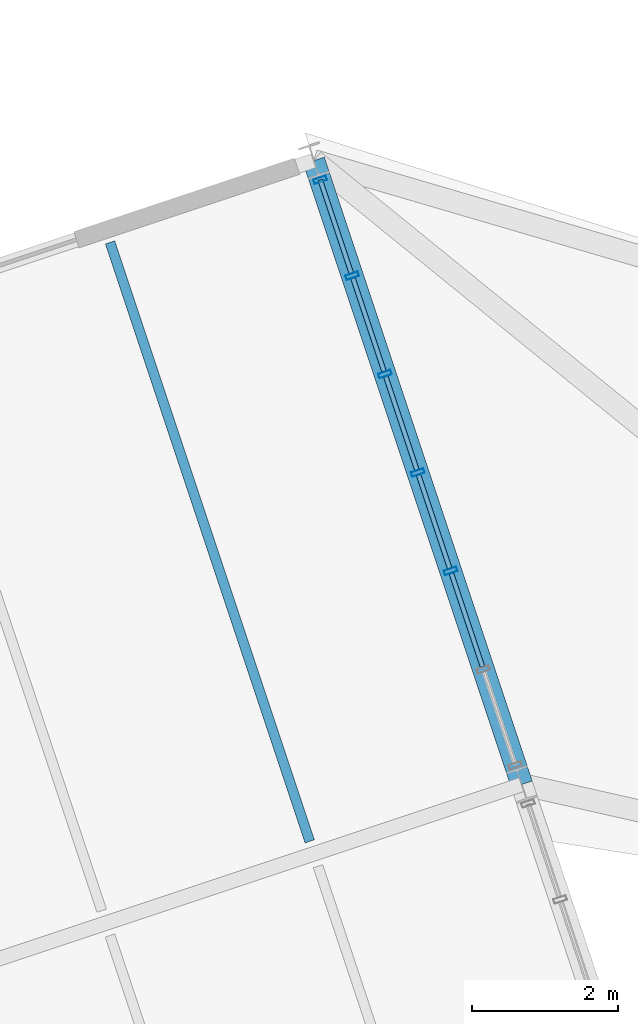
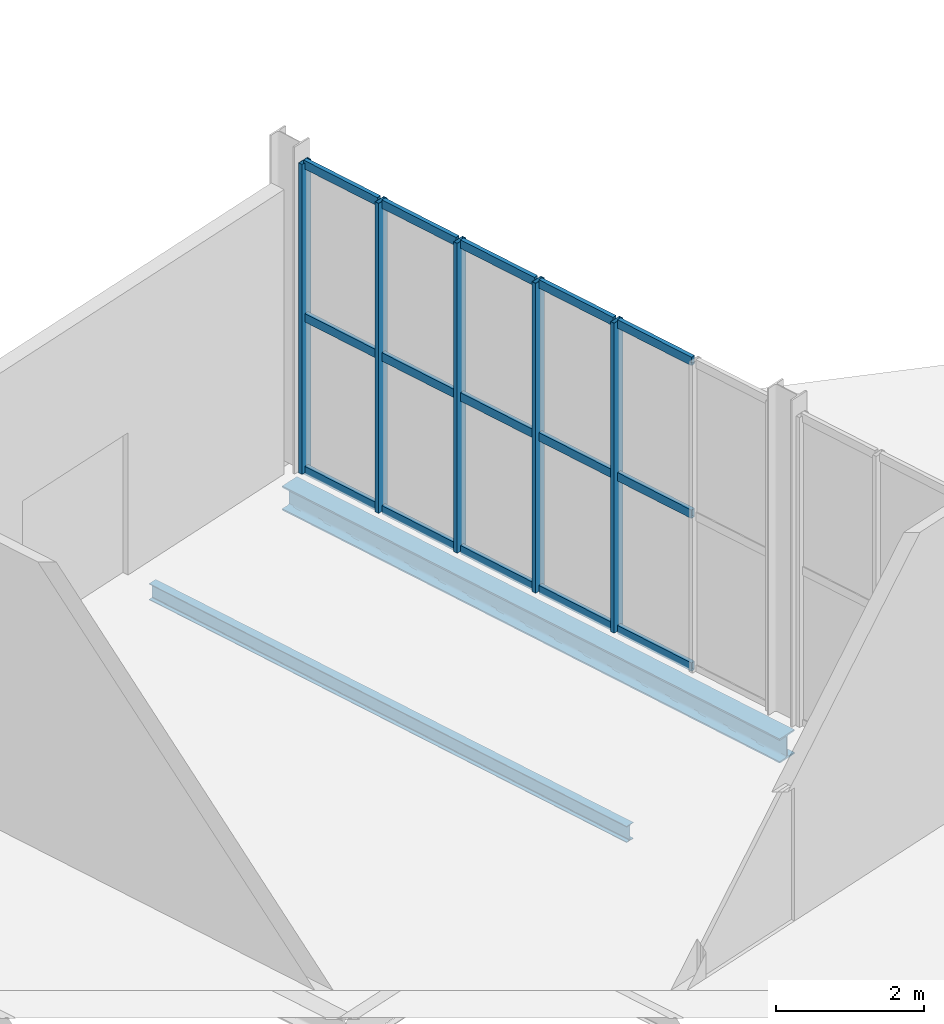
# One storey, part 85 of 158: 20 members, 2 beams, 1 element without a shape of its own.
"""IFC4 building model written with IfcOpenShell, lengths in metres."""

from ifc_helpers import new_model, si_unit, derived_unit, direction, frame, origin, origin_2d, place, context, subcontext, project, spatial, hollow_rectangle, i_section, extrude, material, material_profile, profile_set, type_object, element, aggregate, save


model = new_model("IFC4")

# Units and contexts
model_context = context("Model", 3, precision=1e-05, world=origin(), true_north=direction((0.0, 1.0)))
body_context = subcontext(model_context, "Body", "Model", "MODEL_VIEW")
ifc_project = project(units=[si_unit("LENGTHUNIT", "METRE"), si_unit("AREAUNIT", "SQUARE_METRE"), si_unit("VOLUMEUNIT", "CUBIC_METRE"), si_unit("PLANEANGLEUNIT", "RADIAN"), si_unit("MASSUNIT", "GRAM", prefix="KILO"), si_unit("THERMODYNAMICTEMPERATUREUNIT", "KELVIN"), si_unit("TIMEUNIT", "SECOND"), derived_unit("THERMALTRANSMITTANCEUNIT", [(si_unit("MASSUNIT", "GRAM", prefix="KILO"), 1), (si_unit("THERMODYNAMICTEMPERATUREUNIT", "KELVIN"), -1), (si_unit("TIMEUNIT", "SECOND"), -3)])], contexts=[model_context])

# Site, building, storey
site_placement = place(None, origin())
site = spatial("IfcSite", under=ifc_project, at=site_placement, CompositionType="ELEMENT")
building_placement = place(site_placement, origin())
building = spatial("IfcBuilding", under=site, at=building_placement, Name="Cambertide Market Hall", CompositionType="ELEMENT")
storey_placement = place(building_placement, origin())
storey = spatial("IfcBuildingStorey", under=building, at=storey_placement, Name="L01", CompositionType="ELEMENT", Elevation=0.0)

# Curtain wall, members
ifc_material_1 = material(Name="Marine Anodized Aluminium 6063-T6 AA25", Category="aluminium")
curtain_wall_type = type_object("IfcCurtainWallType", Name="Food Court Ground Glazed Facade", PredefinedType="USERDEFINED", material=ifc_material_1)
curtain_wall_placement = place(storey_placement, origin())
curtain_wall = element("IfcCurtainWall", 1, at=curtain_wall_placement, inside=storey, type_object=curtain_wall_type, Name="Level 1 Curtain Wall CW-V3E-L01-3", ObjectType="UNITIZED CURTAIN WALL", PredefinedType="USERDEFINED")
ifc_material_2 = material(Name="Champagne Marine Anodized Aluminium 6063-T6 AA25", Category="aluminium")
ifc_material_profile_1 = material_profile(ifc_material_2, hollow_rectangle(XDim=0.06494140625, YDim=0.179931640625, WallThickness=0.00390625, at=origin_2d()), Name="ALU MULLION 65x180")
ifc_profile_set_1 = profile_set([ifc_material_profile_1], Name="Champagne Marine Anodized Aluminium 6063-T6 AA25")
member_type_1 = type_object("IfcMemberType", Name="Curtain Wall Mullion ALU MULLION 65x180", PredefinedType="MULLION", material=ifc_profile_set_1)
member_1_placement = place(storey_placement, frame((157.31591796875, 57.27587890625, 0.0), z_axis=(0.0, 0.0, 1.0), x_axis=(0.3162277308, -0.948683309789, 0.0)))
member_1 = element("IfcMember", 2, at=member_1_placement, type_object=member_type_1, Name="CW-V3E-L01-3 Mullion 1", PredefinedType="MULLION", context=body_context, shape_type="SweptSolid", body=[
    extrude(hollow_rectangle(XDim=0.06494140625, YDim=0.179931640625, WallThickness=0.00390625, at=origin_2d()), origin(), (0.0, 0.0, 1.0), 5.1201171875),
])
member_2_placement = place(storey_placement, frame((157.75390625, 55.9619140625, 0.0), z_axis=(0.0, 0.0, 1.0), x_axis=(0.3162277308, -0.948683309789, 0.0)))
member_2 = element("IfcMember", 3, at=member_2_placement, type_object=member_type_1, Name="CW-V3E-L01-3 Mullion 2", PredefinedType="MULLION", context=body_context, shape_type="SweptSolid", body=[
    extrude(hollow_rectangle(XDim=0.06494140625, YDim=0.179931640625, WallThickness=0.00390625, at=origin_2d()), origin(), (0.0, 0.0, 1.0), 5.1201171875),
])
member_3_placement = place(storey_placement, frame((158.202880859375, 54.61474609375, 0.0), z_axis=(0.0, 0.0, 1.0), x_axis=(0.3162277308, -0.948683309789, 0.0)))
member_3 = element("IfcMember", 4, at=member_3_placement, type_object=member_type_1, Name="CW-V3E-L01-3 Mullion 3", PredefinedType="MULLION", context=body_context, shape_type="SweptSolid", body=[
    extrude(hollow_rectangle(XDim=0.06494140625, YDim=0.179931640625, WallThickness=0.00390625, at=origin_2d()), origin(), (0.0, 0.0, 1.0), 5.1201171875),
])
member_4_placement = place(storey_placement, frame((158.65185546875, 53.267822265625, 0.0), z_axis=(0.0, 0.0, 1.0), x_axis=(0.3162277308, -0.948683309789, 0.0)))
member_4 = element("IfcMember", 5, at=member_4_placement, type_object=member_type_1, Name="CW-V3E-L01-3 Mullion 4", PredefinedType="MULLION", context=body_context, shape_type="SweptSolid", body=[
    extrude(hollow_rectangle(XDim=0.06494140625, YDim=0.179931640625, WallThickness=0.00390625, at=origin_2d()), origin(), (0.0, 0.0, 1.0), 5.1201171875),
])
member_5_placement = place(storey_placement, frame((159.10107421875, 51.920654296875, 0.0), z_axis=(0.0, 0.0, 1.0), x_axis=(0.3162277308, -0.948683309789, 0.0)))
member_5 = element("IfcMember", 6, at=member_5_placement, type_object=member_type_1, Name="CW-V3E-L01-3 Mullion 5", PredefinedType="MULLION", context=body_context, shape_type="SweptSolid", body=[
    extrude(hollow_rectangle(XDim=0.06494140625, YDim=0.179931640625, WallThickness=0.00390625, at=origin_2d()), origin(), (0.0, 0.0, 1.0), 5.1201171875),
])
ifc_material_3 = material(Name="Champagne Marine Anodized Aluminium 6063-T6 AA25", Category="aluminium")
ifc_material_profile_2 = material_profile(ifc_material_3, hollow_rectangle(XDim=0.06494140625, YDim=0.139892578125, WallThickness=0.00341796875, at=origin_2d()), Name="ALU TRANSOM 65x140")
ifc_profile_set_2 = profile_set([ifc_material_profile_2], Name="Champagne Marine Anodized Aluminium 6063-T6 AA25")
member_type_2 = type_object("IfcMemberType", Name="Curtain Wall Transom ALU TRANSOM 65x140", PredefinedType="USERDEFINED", material=ifc_profile_set_2)
member_6_placement = place(storey_placement, frame((157.3173828125, 57.271240234375, 0.034912109375), z_axis=(0.316282422593, -0.948665077442, 0.0), x_axis=(0.948665077442, 0.316282422593, 0.0)))
member_6 = element("IfcMember", 7, at=member_6_placement, type_object=member_type_2, Name="CW-V3E-L01-3 Transom 1-1", ObjectType="TRANSOM", PredefinedType="USERDEFINED", context=body_context, shape_type="SweptSolid", body=[
    extrude(hollow_rectangle(XDim=0.06494140625, YDim=0.139892578125, WallThickness=0.00341796875, at=origin_2d()), origin(), (0.0, 0.0, 1.0), 1.340087890625),
])
member_7_placement = place(storey_placement, frame((157.7666015625, 55.924072265625, 0.034912109375), z_axis=(0.316118443418, -0.948719731918, 0.0), x_axis=(0.948719731918, 0.316118443418, 0.0)))
member_7 = element("IfcMember", 8, at=member_7_placement, type_object=member_type_2, Name="CW-V3E-L01-3 Transom 1-2", ObjectType="TRANSOM", PredefinedType="USERDEFINED", context=body_context, shape_type="SweptSolid", body=[
    extrude(hollow_rectangle(XDim=0.06494140625, YDim=0.139892578125, WallThickness=0.00341796875, at=origin_2d()), origin(), (0.0, 0.0, 1.0), 1.33984375),
])
member_8_placement = place(storey_placement, frame((158.215576171875, 54.576904296875, 0.034912109375), z_axis=(0.316118443418, -0.948719731918, 0.0), x_axis=(0.948719731918, 0.316118443418, 0.0)))
member_8 = element("IfcMember", 9, at=member_8_placement, type_object=member_type_2, Name="CW-V3E-L01-3 Transom 1-3", ObjectType="TRANSOM", PredefinedType="USERDEFINED", context=body_context, shape_type="SweptSolid", body=[
    extrude(hollow_rectangle(XDim=0.06494140625, YDim=0.139892578125, WallThickness=0.00341796875, at=origin_2d()), origin(), (0.0, 0.0, 1.0), 1.33984375),
])
member_9_placement = place(storey_placement, frame((158.66455078125, 53.229736328125, 0.034912109375), z_axis=(0.316282422593, -0.948665077442, 0.0), x_axis=(0.948665077442, 0.316282422593, 0.0)))
member_9 = element("IfcMember", 10, at=member_9_placement, type_object=member_type_2, Name="CW-V3E-L01-3 Transom 1-4", ObjectType="TRANSOM", PredefinedType="USERDEFINED", context=body_context, shape_type="SweptSolid", body=[
    extrude(hollow_rectangle(XDim=0.06494140625, YDim=0.139892578125, WallThickness=0.00341796875, at=origin_2d()), origin(), (0.0, 0.0, 1.0), 1.340087890625),
])
member_10_placement = place(storey_placement, frame((159.113525390625, 51.882568359375, 0.034912109375), z_axis=(0.316282422593, -0.948665077442, 0.0), x_axis=(0.948665077442, 0.316282422593, 0.0)))
member_10 = element("IfcMember", 11, at=member_10_placement, type_object=member_type_2, Name="CW-V3E-L01-3 Transom 1-5", ObjectType="TRANSOM", PredefinedType="USERDEFINED", context=body_context, shape_type="SweptSolid", body=[
    extrude(hollow_rectangle(XDim=0.06494140625, YDim=0.139892578125, WallThickness=0.00341796875, at=origin_2d()), origin(), (0.0, 0.0, 1.0), 1.340087890625),
])
member_11_placement = place(storey_placement, frame((157.3173828125, 57.271240234375, 2.56005859375), z_axis=(0.316282422593, -0.948665077442, 0.0), x_axis=(0.948665077442, 0.316282422593, 0.0)))
member_11 = element("IfcMember", 12, at=member_11_placement, type_object=member_type_2, Name="CW-V3E-L01-3 Transom 2-1", ObjectType="TRANSOM", PredefinedType="USERDEFINED", context=body_context, shape_type="SweptSolid", body=[
    extrude(hollow_rectangle(XDim=0.06494140625, YDim=0.139892578125, WallThickness=0.00341796875, at=origin_2d()), origin(), (0.0, 0.0, 1.0), 1.340087890625),
])
member_12_placement = place(storey_placement, frame((157.7666015625, 55.924072265625, 2.56005859375), z_axis=(0.316118443418, -0.948719731918, 0.0), x_axis=(0.948719731918, 0.316118443418, 0.0)))
member_12 = element("IfcMember", 13, at=member_12_placement, type_object=member_type_2, Name="CW-V3E-L01-3 Transom 2-2", ObjectType="TRANSOM", PredefinedType="USERDEFINED", context=body_context, shape_type="SweptSolid", body=[
    extrude(hollow_rectangle(XDim=0.06494140625, YDim=0.139892578125, WallThickness=0.00341796875, at=origin_2d()), origin(), (0.0, 0.0, 1.0), 1.33984375),
])
member_13_placement = place(storey_placement, frame((158.215576171875, 54.576904296875, 2.56005859375), z_axis=(0.316118443418, -0.948719731918, 0.0), x_axis=(0.948719731918, 0.316118443418, 0.0)))
member_13 = element("IfcMember", 14, at=member_13_placement, type_object=member_type_2, Name="CW-V3E-L01-3 Transom 2-3", ObjectType="TRANSOM", PredefinedType="USERDEFINED", context=body_context, shape_type="SweptSolid", body=[
    extrude(hollow_rectangle(XDim=0.06494140625, YDim=0.139892578125, WallThickness=0.00341796875, at=origin_2d()), origin(), (0.0, 0.0, 1.0), 1.33984375),
])
member_14_placement = place(storey_placement, frame((158.66455078125, 53.229736328125, 2.56005859375), z_axis=(0.316282422593, -0.948665077442, 0.0), x_axis=(0.948665077442, 0.316282422593, 0.0)))
member_14 = element("IfcMember", 15, at=member_14_placement, type_object=member_type_2, Name="CW-V3E-L01-3 Transom 2-4", ObjectType="TRANSOM", PredefinedType="USERDEFINED", context=body_context, shape_type="SweptSolid", body=[
    extrude(hollow_rectangle(XDim=0.06494140625, YDim=0.139892578125, WallThickness=0.00341796875, at=origin_2d()), origin(), (0.0, 0.0, 1.0), 1.340087890625),
])
member_15_placement = place(storey_placement, frame((159.113525390625, 51.882568359375, 2.56005859375), z_axis=(0.316282422593, -0.948665077442, 0.0), x_axis=(0.948665077442, 0.316282422593, 0.0)))
member_15 = element("IfcMember", 16, at=member_15_placement, type_object=member_type_2, Name="CW-V3E-L01-3 Transom 2-5", ObjectType="TRANSOM", PredefinedType="USERDEFINED", context=body_context, shape_type="SweptSolid", body=[
    extrude(hollow_rectangle(XDim=0.06494140625, YDim=0.139892578125, WallThickness=0.00341796875, at=origin_2d()), origin(), (0.0, 0.0, 1.0), 1.340087890625),
])
member_16_placement = place(storey_placement, frame((157.3173828125, 57.271240234375, 5.0849609375), z_axis=(0.316282422593, -0.948665077442, 0.0), x_axis=(0.948665077442, 0.316282422593, 0.0)))
member_16 = element("IfcMember", 17, at=member_16_placement, type_object=member_type_2, Name="CW-V3E-L01-3 Transom 3-1", ObjectType="TRANSOM", PredefinedType="USERDEFINED", context=body_context, shape_type="SweptSolid", body=[
    extrude(hollow_rectangle(XDim=0.06494140625, YDim=0.139892578125, WallThickness=0.00341796875, at=origin_2d()), origin(), (0.0, 0.0, 1.0), 1.340087890625),
])
member_17_placement = place(storey_placement, frame((157.7666015625, 55.924072265625, 5.0849609375), z_axis=(0.316118443418, -0.948719731918, 0.0), x_axis=(0.948719731918, 0.316118443418, 0.0)))
member_17 = element("IfcMember", 18, at=member_17_placement, type_object=member_type_2, Name="CW-V3E-L01-3 Transom 3-2", ObjectType="TRANSOM", PredefinedType="USERDEFINED", context=body_context, shape_type="SweptSolid", body=[
    extrude(hollow_rectangle(XDim=0.06494140625, YDim=0.139892578125, WallThickness=0.00341796875, at=origin_2d()), origin(), (0.0, 0.0, 1.0), 1.33984375),
])
member_18_placement = place(storey_placement, frame((158.215576171875, 54.576904296875, 5.0849609375), z_axis=(0.316118443418, -0.948719731918, 0.0), x_axis=(0.948719731918, 0.316118443418, 0.0)))
member_18 = element("IfcMember", 19, at=member_18_placement, type_object=member_type_2, Name="CW-V3E-L01-3 Transom 3-3", ObjectType="TRANSOM", PredefinedType="USERDEFINED", context=body_context, shape_type="SweptSolid", body=[
    extrude(hollow_rectangle(XDim=0.06494140625, YDim=0.139892578125, WallThickness=0.00341796875, at=origin_2d()), origin(), (0.0, 0.0, 1.0), 1.33984375),
])
member_19_placement = place(storey_placement, frame((158.66455078125, 53.229736328125, 5.0849609375), z_axis=(0.316282422593, -0.948665077442, 0.0), x_axis=(0.948665077442, 0.316282422593, 0.0)))
member_19 = element("IfcMember", 20, at=member_19_placement, type_object=member_type_2, Name="CW-V3E-L01-3 Transom 3-4", ObjectType="TRANSOM", PredefinedType="USERDEFINED", context=body_context, shape_type="SweptSolid", body=[
    extrude(hollow_rectangle(XDim=0.06494140625, YDim=0.139892578125, WallThickness=0.00341796875, at=origin_2d()), origin(), (0.0, 0.0, 1.0), 1.340087890625),
])
member_20_placement = place(storey_placement, frame((159.113525390625, 51.882568359375, 5.0849609375), z_axis=(0.316282422593, -0.948665077442, 0.0), x_axis=(0.948665077442, 0.316282422593, 0.0)))
member_20 = element("IfcMember", 21, at=member_20_placement, type_object=member_type_2, Name="CW-V3E-L01-3 Transom 3-5", ObjectType="TRANSOM", PredefinedType="USERDEFINED", context=body_context, shape_type="SweptSolid", body=[
    extrude(hollow_rectangle(XDim=0.06494140625, YDim=0.139892578125, WallThickness=0.00341796875, at=origin_2d()), origin(), (0.0, 0.0, 1.0), 1.340087890625),
])
aggregate(curtain_wall, [member_1, member_2, member_3, member_4, member_5, member_6, member_7, member_8, member_9, member_10, member_11, member_12, member_13, member_14, member_15, member_16, member_17, member_18, member_19, member_20])

# Beams
ifc_material_4 = material(Name="Steel S355", Category="steel")
ifc_material_profile_3 = material_profile(ifc_material_4, i_section(OverallWidth=0.300048828125, OverallDepth=0.39990234375, WebThickness=0.013427734375, FlangeThickness=0.02392578125, FilletRadius=0.027099609375, at=origin_2d()), Name="HEB 400")
ifc_profile_set_3 = profile_set([ifc_material_profile_3], Name="Steel S355")
beam_type_1 = type_object("IfcBeamType", Name="Steel Girder HEB 400", PredefinedType="BEAM", material=ifc_profile_set_3)
beam_1_placement = place(storey_placement, frame((160.074951171875, 48.99853515625, -0.5), z_axis=(-0.316211490179, 0.948688723175, 0.0), x_axis=(-0.948688723175, -0.316211490179, 0.0)))
element("IfcBeam", 22, at=beam_1_placement, inside=storey, type_object=beam_type_1, Name="Level 1 Beam BM-V3V-L01-8-3", PredefinedType="BEAM", context=body_context, shape_type="SweptSolid", body=[
    extrude(i_section(OverallWidth=0.300048828125, OverallDepth=0.39990234375, WebThickness=0.013427734375, FlangeThickness=0.02392578125, FilletRadius=0.027099609375, at=origin_2d()), origin(), (0.0, 0.0, 1.0), 9.000244140625),
])
ifc_material_5 = material(Name="Steel S275", Category="steel")
ifc_material_profile_4 = material_profile(ifc_material_5, i_section(OverallWidth=0.135009765625, OverallDepth=0.27001953125, WebThickness=0.006591796875, FlangeThickness=0.01025390625, FilletRadius=0.014892578125, at=origin_2d()), Name="IPE 270")
ifc_profile_set_4 = profile_set([ifc_material_profile_4], Name="Steel S275")
beam_type_2 = type_object("IfcBeamType", Name="Steel Secondary Joist IPE 270", PredefinedType="JOIST", material=ifc_profile_set_4)
beam_2_placement = place(storey_placement, frame((157.171875, 48.220703125, -0.43505859375), z_axis=(-0.316227766017, 0.948683298051, 0.0), x_axis=(-0.948683298051, -0.316227766017, 0.0)))
element("IfcBeam", 23, at=beam_2_placement, inside=storey, type_object=beam_type_2, Name="Level 1 Joist JS-V3-L01-7-3-2", PredefinedType="JOIST", context=body_context, shape_type="SweptSolid", body=[
    extrude(i_section(OverallWidth=0.135009765625, OverallDepth=0.27001953125, WebThickness=0.006591796875, FlangeThickness=0.01025390625, FilletRadius=0.014892578125, at=origin_2d()), origin(), (0.0, 0.0, 1.0), 8.639892578125),
])

save(model, "model.ifc")
